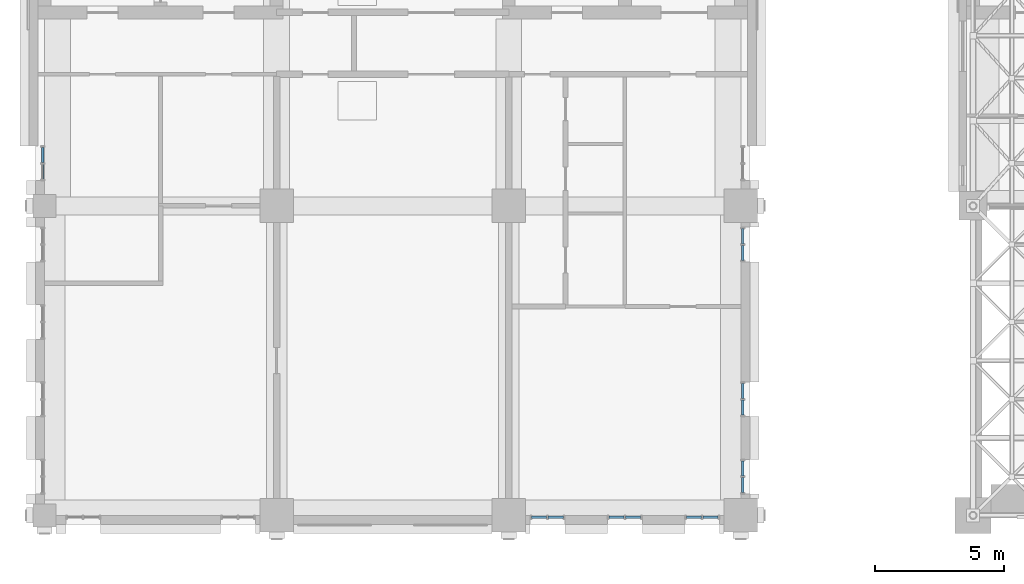
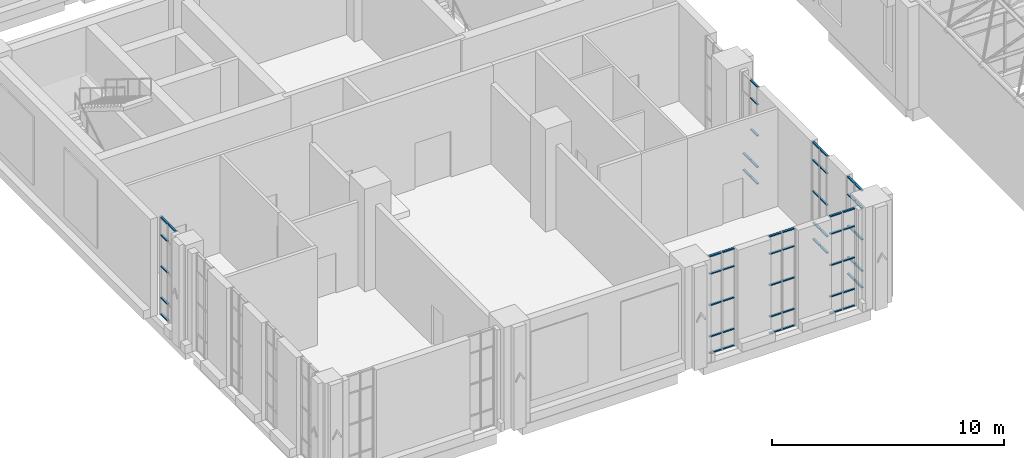
# One storey, part 16 of 53: 63 members, 7 elements without a shape of their own.
"""IFC4 building model written with IfcOpenShell, lengths in metres."""

from ifc_helpers import new_model, si_unit, direction, frame, origin, origin_2d, place, context, subcontext, project, spatial, rectangle, extrude, material, layer, layer_set, material_profile, profile_set, type_object, element, aggregate, save


model = new_model("IFC4")

# Units and contexts
model_context = context("Model", 3, precision=1e-05, world=origin(), true_north=direction((0.0, 1.0)))
body_context = subcontext(model_context, "Body", "Model", "MODEL_VIEW")
ifc_project = project(units=[si_unit("LENGTHUNIT", "METRE"), si_unit("AREAUNIT", "SQUARE_METRE"), si_unit("VOLUMEUNIT", "CUBIC_METRE"), si_unit("PLANEANGLEUNIT", "RADIAN"), si_unit("MASSUNIT", "GRAM", prefix="KILO")], contexts=[model_context])

# Site, building, storey
site_placement = place(None, origin())
site = spatial("IfcSite", under=ifc_project, at=site_placement, CompositionType="ELEMENT")
building_placement = place(site_placement, origin())
building = spatial("IfcBuilding", under=site, at=building_placement, Name="Aurelan Courthouse", CompositionType="ELEMENT")
storey_placement = place(building_placement, frame((0.0, 0.0, 12.0)))
storey = spatial("IfcBuildingStorey", under=building, at=storey_placement, Name="L02", CompositionType="ELEMENT", Elevation=12.0)

# Curtain wall, members
ifc_material_1 = material(Name="Bronze-finished aluminium and glass", Category="aluminium")
ifc_layer = layer(ifc_material_1, 0.14990234375)
ifc_layer_set = layer_set([ifc_layer], Name="Bronze-finished aluminium and glass")
curtain_wall_type = type_object("IfcCurtainWallType", Name="Curtain wall 1350 x 5150", PredefinedType="NOTDEFINED", material=ifc_layer_set)
curtain_wall_1_placement = place(storey_placement, origin())
curtain_wall_1 = element("IfcCurtainWall", 1, at=curtain_wall_1_placement, inside=storey, type_object=curtain_wall_type, Name="Curtain wall CW-V5-L02-S03", PredefinedType="NOTDEFINED")
ifc_material_2 = material(Name="Bronze-finished aluminium", Category="aluminium")
ifc_material_profile = material_profile(ifc_material_2, rectangle(XDim=0.10009765625, YDim=0.06005859375, at=origin_2d()), Name="Bronze transom 60 x 100")
ifc_profile_set = profile_set([ifc_material_profile], Name="Bronze-finished aluminium")
member_type = type_object("IfcMemberType", Name="Curtain wall transom 60 x 100", PredefinedType="USERDEFINED", material=ifc_profile_set)
member_1_placement = place(storey_placement, frame((18.885009765625, -0.074951171875, 0.030029296875), z_axis=(1.0, 0.0, 0.0), x_axis=(0.0, 1.0, 0.0)))
member_1 = element("IfcMember", 2, at=member_1_placement, type_object=member_type, Name="CW-V5-L02-S03 transom 1.1", ObjectType="TRANSOM", PredefinedType="USERDEFINED", context=body_context, shape_type="SweptSolid", body=[
    extrude(rectangle(XDim=0.10009765625, YDim=0.06005859375, at=origin_2d()), origin(), (0.0, 0.0, 1.0), 0.5849609375),
])
member_2_placement = place(storey_placement, frame((18.885009765625, -0.074951171875, 0.89990234375), z_axis=(1.0, 0.0, 0.0), x_axis=(0.0, 1.0, 0.0)))
member_2 = element("IfcMember", 3, at=member_2_placement, type_object=member_type, Name="CW-V5-L02-S03 transom 1.2", ObjectType="TRANSOM", PredefinedType="USERDEFINED", context=body_context, shape_type="SweptSolid", body=[
    extrude(rectangle(XDim=0.10009765625, YDim=0.06005859375, at=origin_2d()), origin(), (0.0, 0.0, 1.0), 0.5849609375),
])
member_3_placement = place(storey_placement, frame((18.885009765625, -0.074951171875, 2.550048828125), z_axis=(1.0, 0.0, 0.0), x_axis=(0.0, 1.0, 0.0)))
member_3 = element("IfcMember", 4, at=member_3_placement, type_object=member_type, Name="CW-V5-L02-S03 transom 1.3", ObjectType="TRANSOM", PredefinedType="USERDEFINED", context=body_context, shape_type="SweptSolid", body=[
    extrude(rectangle(XDim=0.10009765625, YDim=0.06005859375, at=origin_2d()), origin(), (0.0, 0.0, 1.0), 0.5849609375),
])
member_4_placement = place(storey_placement, frame((18.885009765625, -0.074951171875, 4.199951171875), z_axis=(1.0, 0.0, 0.0), x_axis=(0.0, 1.0, 0.0)))
member_4 = element("IfcMember", 5, at=member_4_placement, type_object=member_type, Name="CW-V5-L02-S03 transom 1.4", ObjectType="TRANSOM", PredefinedType="USERDEFINED", context=body_context, shape_type="SweptSolid", body=[
    extrude(rectangle(XDim=0.10009765625, YDim=0.06005859375, at=origin_2d()), origin(), (0.0, 0.0, 1.0), 0.5849609375),
])
member_5_placement = place(storey_placement, frame((18.885009765625, -0.074951171875, 5.1201171875), z_axis=(1.0, 0.0, 0.0), x_axis=(0.0, 1.0, 0.0)))
member_5 = element("IfcMember", 6, at=member_5_placement, type_object=member_type, Name="CW-V5-L02-S03 transom 1.5", ObjectType="TRANSOM", PredefinedType="USERDEFINED", context=body_context, shape_type="SweptSolid", body=[
    extrude(rectangle(XDim=0.10009765625, YDim=0.06005859375, at=origin_2d()), origin(), (0.0, 0.0, 1.0), 0.5849609375),
])
member_6_placement = place(storey_placement, frame((19.530029296875, -0.074951171875, 0.030029296875), z_axis=(1.0, 0.0, 0.0), x_axis=(0.0, 1.0, 0.0)))
member_6 = element("IfcMember", 7, at=member_6_placement, type_object=member_type, Name="CW-V5-L02-S03 transom 2.1", ObjectType="TRANSOM", PredefinedType="USERDEFINED", context=body_context, shape_type="SweptSolid", body=[
    extrude(rectangle(XDim=0.10009765625, YDim=0.06005859375, at=origin_2d()), origin(), (0.0, 0.0, 1.0), 0.5849609375),
])
member_7_placement = place(storey_placement, frame((19.530029296875, -0.074951171875, 0.89990234375), z_axis=(1.0, 0.0, 0.0), x_axis=(0.0, 1.0, 0.0)))
member_7 = element("IfcMember", 8, at=member_7_placement, type_object=member_type, Name="CW-V5-L02-S03 transom 2.2", ObjectType="TRANSOM", PredefinedType="USERDEFINED", context=body_context, shape_type="SweptSolid", body=[
    extrude(rectangle(XDim=0.10009765625, YDim=0.06005859375, at=origin_2d()), origin(), (0.0, 0.0, 1.0), 0.5849609375),
])
member_8_placement = place(storey_placement, frame((19.530029296875, -0.074951171875, 2.550048828125), z_axis=(1.0, 0.0, 0.0), x_axis=(0.0, 1.0, 0.0)))
member_8 = element("IfcMember", 9, at=member_8_placement, type_object=member_type, Name="CW-V5-L02-S03 transom 2.3", ObjectType="TRANSOM", PredefinedType="USERDEFINED", context=body_context, shape_type="SweptSolid", body=[
    extrude(rectangle(XDim=0.10009765625, YDim=0.06005859375, at=origin_2d()), origin(), (0.0, 0.0, 1.0), 0.5849609375),
])
member_9_placement = place(storey_placement, frame((19.530029296875, -0.074951171875, 4.199951171875), z_axis=(1.0, 0.0, 0.0), x_axis=(0.0, 1.0, 0.0)))
member_9 = element("IfcMember", 10, at=member_9_placement, type_object=member_type, Name="CW-V5-L02-S03 transom 2.4", ObjectType="TRANSOM", PredefinedType="USERDEFINED", context=body_context, shape_type="SweptSolid", body=[
    extrude(rectangle(XDim=0.10009765625, YDim=0.06005859375, at=origin_2d()), origin(), (0.0, 0.0, 1.0), 0.5849609375),
])
member_10_placement = place(storey_placement, frame((19.530029296875, -0.074951171875, 5.1201171875), z_axis=(1.0, 0.0, 0.0), x_axis=(0.0, 1.0, 0.0)))
member_10 = element("IfcMember", 11, at=member_10_placement, type_object=member_type, Name="CW-V5-L02-S03 transom 2.5", ObjectType="TRANSOM", PredefinedType="USERDEFINED", context=body_context, shape_type="SweptSolid", body=[
    extrude(rectangle(XDim=0.10009765625, YDim=0.06005859375, at=origin_2d()), origin(), (0.0, 0.0, 1.0), 0.5849609375),
])
aggregate(curtain_wall_1, [member_1, member_2, member_3, member_4, member_5, member_6, member_7, member_8, member_9, member_10])

curtain_wall_2_placement = place(storey_placement, origin())
curtain_wall_2 = element("IfcCurtainWall", 12, at=curtain_wall_2_placement, inside=storey, type_object=curtain_wall_type, Name="Curtain wall CW-V5-L02-S04", PredefinedType="NOTDEFINED")
member_11_placement = place(storey_placement, frame((21.885009765625, -0.074951171875, 0.030029296875), z_axis=(1.0, 0.0, 0.0), x_axis=(0.0, 1.0, 0.0)))
member_11 = element("IfcMember", 13, at=member_11_placement, type_object=member_type, Name="CW-V5-L02-S04 transom 1.1", ObjectType="TRANSOM", PredefinedType="USERDEFINED", context=body_context, shape_type="SweptSolid", body=[
    extrude(rectangle(XDim=0.10009765625, YDim=0.06005859375, at=origin_2d()), origin(), (0.0, 0.0, 1.0), 0.5849609375),
])
member_12_placement = place(storey_placement, frame((21.885009765625, -0.074951171875, 0.89990234375), z_axis=(1.0, 0.0, 0.0), x_axis=(0.0, 1.0, 0.0)))
member_12 = element("IfcMember", 14, at=member_12_placement, type_object=member_type, Name="CW-V5-L02-S04 transom 1.2", ObjectType="TRANSOM", PredefinedType="USERDEFINED", context=body_context, shape_type="SweptSolid", body=[
    extrude(rectangle(XDim=0.10009765625, YDim=0.06005859375, at=origin_2d()), origin(), (0.0, 0.0, 1.0), 0.5849609375),
])
member_13_placement = place(storey_placement, frame((21.885009765625, -0.074951171875, 2.550048828125), z_axis=(1.0, 0.0, 0.0), x_axis=(0.0, 1.0, 0.0)))
member_13 = element("IfcMember", 15, at=member_13_placement, type_object=member_type, Name="CW-V5-L02-S04 transom 1.3", ObjectType="TRANSOM", PredefinedType="USERDEFINED", context=body_context, shape_type="SweptSolid", body=[
    extrude(rectangle(XDim=0.10009765625, YDim=0.06005859375, at=origin_2d()), origin(), (0.0, 0.0, 1.0), 0.5849609375),
])
member_14_placement = place(storey_placement, frame((21.885009765625, -0.074951171875, 4.199951171875), z_axis=(1.0, 0.0, 0.0), x_axis=(0.0, 1.0, 0.0)))
member_14 = element("IfcMember", 16, at=member_14_placement, type_object=member_type, Name="CW-V5-L02-S04 transom 1.4", ObjectType="TRANSOM", PredefinedType="USERDEFINED", context=body_context, shape_type="SweptSolid", body=[
    extrude(rectangle(XDim=0.10009765625, YDim=0.06005859375, at=origin_2d()), origin(), (0.0, 0.0, 1.0), 0.5849609375),
])
member_15_placement = place(storey_placement, frame((21.885009765625, -0.074951171875, 5.1201171875), z_axis=(1.0, 0.0, 0.0), x_axis=(0.0, 1.0, 0.0)))
member_15 = element("IfcMember", 17, at=member_15_placement, type_object=member_type, Name="CW-V5-L02-S04 transom 1.5", ObjectType="TRANSOM", PredefinedType="USERDEFINED", context=body_context, shape_type="SweptSolid", body=[
    extrude(rectangle(XDim=0.10009765625, YDim=0.06005859375, at=origin_2d()), origin(), (0.0, 0.0, 1.0), 0.5849609375),
])
member_16_placement = place(storey_placement, frame((22.530029296875, -0.074951171875, 0.030029296875), z_axis=(1.0, 0.0, 0.0), x_axis=(0.0, 1.0, 0.0)))
member_16 = element("IfcMember", 18, at=member_16_placement, type_object=member_type, Name="CW-V5-L02-S04 transom 2.1", ObjectType="TRANSOM", PredefinedType="USERDEFINED", context=body_context, shape_type="SweptSolid", body=[
    extrude(rectangle(XDim=0.10009765625, YDim=0.06005859375, at=origin_2d()), origin(), (0.0, 0.0, 1.0), 0.5849609375),
])
member_17_placement = place(storey_placement, frame((22.530029296875, -0.074951171875, 0.89990234375), z_axis=(1.0, 0.0, 0.0), x_axis=(0.0, 1.0, 0.0)))
member_17 = element("IfcMember", 19, at=member_17_placement, type_object=member_type, Name="CW-V5-L02-S04 transom 2.2", ObjectType="TRANSOM", PredefinedType="USERDEFINED", context=body_context, shape_type="SweptSolid", body=[
    extrude(rectangle(XDim=0.10009765625, YDim=0.06005859375, at=origin_2d()), origin(), (0.0, 0.0, 1.0), 0.5849609375),
])
member_18_placement = place(storey_placement, frame((22.530029296875, -0.074951171875, 2.550048828125), z_axis=(1.0, 0.0, 0.0), x_axis=(0.0, 1.0, 0.0)))
member_18 = element("IfcMember", 20, at=member_18_placement, type_object=member_type, Name="CW-V5-L02-S04 transom 2.3", ObjectType="TRANSOM", PredefinedType="USERDEFINED", context=body_context, shape_type="SweptSolid", body=[
    extrude(rectangle(XDim=0.10009765625, YDim=0.06005859375, at=origin_2d()), origin(), (0.0, 0.0, 1.0), 0.5849609375),
])
member_19_placement = place(storey_placement, frame((22.530029296875, -0.074951171875, 4.199951171875), z_axis=(1.0, 0.0, 0.0), x_axis=(0.0, 1.0, 0.0)))
member_19 = element("IfcMember", 21, at=member_19_placement, type_object=member_type, Name="CW-V5-L02-S04 transom 2.4", ObjectType="TRANSOM", PredefinedType="USERDEFINED", context=body_context, shape_type="SweptSolid", body=[
    extrude(rectangle(XDim=0.10009765625, YDim=0.06005859375, at=origin_2d()), origin(), (0.0, 0.0, 1.0), 0.5849609375),
])
member_20_placement = place(storey_placement, frame((22.530029296875, -0.074951171875, 5.1201171875), z_axis=(1.0, 0.0, 0.0), x_axis=(0.0, 1.0, 0.0)))
member_20 = element("IfcMember", 22, at=member_20_placement, type_object=member_type, Name="CW-V5-L02-S04 transom 2.5", ObjectType="TRANSOM", PredefinedType="USERDEFINED", context=body_context, shape_type="SweptSolid", body=[
    extrude(rectangle(XDim=0.10009765625, YDim=0.06005859375, at=origin_2d()), origin(), (0.0, 0.0, 1.0), 0.5849609375),
])
aggregate(curtain_wall_2, [member_11, member_12, member_13, member_14, member_15, member_16, member_17, member_18, member_19, member_20])

curtain_wall_3_placement = place(storey_placement, origin())
curtain_wall_3 = element("IfcCurtainWall", 23, at=curtain_wall_3_placement, inside=storey, type_object=curtain_wall_type, Name="Curtain wall CW-V5-L02-S05", PredefinedType="NOTDEFINED")
member_21_placement = place(storey_placement, frame((24.885009765625, -0.074951171875, 0.030029296875), z_axis=(1.0, 0.0, 0.0), x_axis=(0.0, 1.0, 0.0)))
member_21 = element("IfcMember", 24, at=member_21_placement, type_object=member_type, Name="CW-V5-L02-S05 transom 1.1", ObjectType="TRANSOM", PredefinedType="USERDEFINED", context=body_context, shape_type="SweptSolid", body=[
    extrude(rectangle(XDim=0.10009765625, YDim=0.06005859375, at=origin_2d()), origin(), (0.0, 0.0, 1.0), 0.5849609375),
])
member_22_placement = place(storey_placement, frame((24.885009765625, -0.074951171875, 0.89990234375), z_axis=(1.0, 0.0, 0.0), x_axis=(0.0, 1.0, 0.0)))
member_22 = element("IfcMember", 25, at=member_22_placement, type_object=member_type, Name="CW-V5-L02-S05 transom 1.2", ObjectType="TRANSOM", PredefinedType="USERDEFINED", context=body_context, shape_type="SweptSolid", body=[
    extrude(rectangle(XDim=0.10009765625, YDim=0.06005859375, at=origin_2d()), origin(), (0.0, 0.0, 1.0), 0.5849609375),
])
member_23_placement = place(storey_placement, frame((24.885009765625, -0.074951171875, 2.550048828125), z_axis=(1.0, 0.0, 0.0), x_axis=(0.0, 1.0, 0.0)))
member_23 = element("IfcMember", 26, at=member_23_placement, type_object=member_type, Name="CW-V5-L02-S05 transom 1.3", ObjectType="TRANSOM", PredefinedType="USERDEFINED", context=body_context, shape_type="SweptSolid", body=[
    extrude(rectangle(XDim=0.10009765625, YDim=0.06005859375, at=origin_2d()), origin(), (0.0, 0.0, 1.0), 0.5849609375),
])
member_24_placement = place(storey_placement, frame((24.885009765625, -0.074951171875, 4.199951171875), z_axis=(1.0, 0.0, 0.0), x_axis=(0.0, 1.0, 0.0)))
member_24 = element("IfcMember", 27, at=member_24_placement, type_object=member_type, Name="CW-V5-L02-S05 transom 1.4", ObjectType="TRANSOM", PredefinedType="USERDEFINED", context=body_context, shape_type="SweptSolid", body=[
    extrude(rectangle(XDim=0.10009765625, YDim=0.06005859375, at=origin_2d()), origin(), (0.0, 0.0, 1.0), 0.5849609375),
])
member_25_placement = place(storey_placement, frame((24.885009765625, -0.074951171875, 5.1201171875), z_axis=(1.0, 0.0, 0.0), x_axis=(0.0, 1.0, 0.0)))
member_25 = element("IfcMember", 28, at=member_25_placement, type_object=member_type, Name="CW-V5-L02-S05 transom 1.5", ObjectType="TRANSOM", PredefinedType="USERDEFINED", context=body_context, shape_type="SweptSolid", body=[
    extrude(rectangle(XDim=0.10009765625, YDim=0.06005859375, at=origin_2d()), origin(), (0.0, 0.0, 1.0), 0.5849609375),
])
member_26_placement = place(storey_placement, frame((25.530029296875, -0.074951171875, 0.030029296875), z_axis=(1.0, 0.0, 0.0), x_axis=(0.0, 1.0, 0.0)))
member_26 = element("IfcMember", 29, at=member_26_placement, type_object=member_type, Name="CW-V5-L02-S05 transom 2.1", ObjectType="TRANSOM", PredefinedType="USERDEFINED", context=body_context, shape_type="SweptSolid", body=[
    extrude(rectangle(XDim=0.10009765625, YDim=0.06005859375, at=origin_2d()), origin(), (0.0, 0.0, 1.0), 0.5849609375),
])
member_27_placement = place(storey_placement, frame((25.530029296875, -0.074951171875, 0.89990234375), z_axis=(1.0, 0.0, 0.0), x_axis=(0.0, 1.0, 0.0)))
member_27 = element("IfcMember", 30, at=member_27_placement, type_object=member_type, Name="CW-V5-L02-S05 transom 2.2", ObjectType="TRANSOM", PredefinedType="USERDEFINED", context=body_context, shape_type="SweptSolid", body=[
    extrude(rectangle(XDim=0.10009765625, YDim=0.06005859375, at=origin_2d()), origin(), (0.0, 0.0, 1.0), 0.5849609375),
])
member_28_placement = place(storey_placement, frame((25.530029296875, -0.074951171875, 2.550048828125), z_axis=(1.0, 0.0, 0.0), x_axis=(0.0, 1.0, 0.0)))
member_28 = element("IfcMember", 31, at=member_28_placement, type_object=member_type, Name="CW-V5-L02-S05 transom 2.3", ObjectType="TRANSOM", PredefinedType="USERDEFINED", context=body_context, shape_type="SweptSolid", body=[
    extrude(rectangle(XDim=0.10009765625, YDim=0.06005859375, at=origin_2d()), origin(), (0.0, 0.0, 1.0), 0.5849609375),
])
member_29_placement = place(storey_placement, frame((25.530029296875, -0.074951171875, 4.199951171875), z_axis=(1.0, 0.0, 0.0), x_axis=(0.0, 1.0, 0.0)))
member_29 = element("IfcMember", 32, at=member_29_placement, type_object=member_type, Name="CW-V5-L02-S05 transom 2.4", ObjectType="TRANSOM", PredefinedType="USERDEFINED", context=body_context, shape_type="SweptSolid", body=[
    extrude(rectangle(XDim=0.10009765625, YDim=0.06005859375, at=origin_2d()), origin(), (0.0, 0.0, 1.0), 0.5849609375),
])
member_30_placement = place(storey_placement, frame((25.530029296875, -0.074951171875, 5.1201171875), z_axis=(1.0, 0.0, 0.0), x_axis=(0.0, 1.0, 0.0)))
member_30 = element("IfcMember", 33, at=member_30_placement, type_object=member_type, Name="CW-V5-L02-S05 transom 2.5", ObjectType="TRANSOM", PredefinedType="USERDEFINED", context=body_context, shape_type="SweptSolid", body=[
    extrude(rectangle(XDim=0.10009765625, YDim=0.06005859375, at=origin_2d()), origin(), (0.0, 0.0, 1.0), 0.5849609375),
])
aggregate(curtain_wall_3, [member_21, member_22, member_23, member_24, member_25, member_26, member_27, member_28, member_29, member_30])

curtain_wall_4_placement = place(storey_placement, origin())
curtain_wall_4 = element("IfcCurtainWall", 34, at=curtain_wall_4_placement, inside=storey, type_object=curtain_wall_type, Name="Curtain wall CW-V5-L02-E01", PredefinedType="NOTDEFINED")
member_31_placement = place(storey_placement, frame((27.074951171875, 0.885009765625, 0.030029296875), z_axis=(0.0, 1.0, 0.0), x_axis=(-1.0, 0.0, 0.0)))
member_31 = element("IfcMember", 35, at=member_31_placement, type_object=member_type, Name="CW-V5-L02-E01 transom 1.1", ObjectType="TRANSOM", PredefinedType="USERDEFINED", context=body_context, shape_type="SweptSolid", body=[
    extrude(rectangle(XDim=0.10009765625, YDim=0.06005859375, at=origin_2d()), origin(), (0.0, 0.0, 1.0), 0.5849609375),
])
member_32_placement = place(storey_placement, frame((27.074951171875, 0.885009765625, 0.89990234375), z_axis=(0.0, 1.0, 0.0), x_axis=(-1.0, 0.0, 0.0)))
member_32 = element("IfcMember", 36, at=member_32_placement, type_object=member_type, Name="CW-V5-L02-E01 transom 1.2", ObjectType="TRANSOM", PredefinedType="USERDEFINED", context=body_context, shape_type="SweptSolid", body=[
    extrude(rectangle(XDim=0.10009765625, YDim=0.06005859375, at=origin_2d()), origin(), (0.0, 0.0, 1.0), 0.5849609375),
])
member_33_placement = place(storey_placement, frame((27.074951171875, 0.885009765625, 2.550048828125), z_axis=(0.0, 1.0, 0.0), x_axis=(-1.0, 0.0, 0.0)))
member_33 = element("IfcMember", 37, at=member_33_placement, type_object=member_type, Name="CW-V5-L02-E01 transom 1.3", ObjectType="TRANSOM", PredefinedType="USERDEFINED", context=body_context, shape_type="SweptSolid", body=[
    extrude(rectangle(XDim=0.10009765625, YDim=0.06005859375, at=origin_2d()), origin(), (0.0, 0.0, 1.0), 0.5849609375),
])
member_34_placement = place(storey_placement, frame((27.074951171875, 0.885009765625, 4.199951171875), z_axis=(0.0, 1.0, 0.0), x_axis=(-1.0, 0.0, 0.0)))
member_34 = element("IfcMember", 38, at=member_34_placement, type_object=member_type, Name="CW-V5-L02-E01 transom 1.4", ObjectType="TRANSOM", PredefinedType="USERDEFINED", context=body_context, shape_type="SweptSolid", body=[
    extrude(rectangle(XDim=0.10009765625, YDim=0.06005859375, at=origin_2d()), origin(), (0.0, 0.0, 1.0), 0.5849609375),
])
member_35_placement = place(storey_placement, frame((27.074951171875, 0.885009765625, 5.1201171875), z_axis=(0.0, 1.0, 0.0), x_axis=(-1.0, 0.0, 0.0)))
member_35 = element("IfcMember", 39, at=member_35_placement, type_object=member_type, Name="CW-V5-L02-E01 transom 1.5", ObjectType="TRANSOM", PredefinedType="USERDEFINED", context=body_context, shape_type="SweptSolid", body=[
    extrude(rectangle(XDim=0.10009765625, YDim=0.06005859375, at=origin_2d()), origin(), (0.0, 0.0, 1.0), 0.5849609375),
])
member_36_placement = place(storey_placement, frame((27.074951171875, 1.530029296875, 0.030029296875), z_axis=(0.0, 1.0, 0.0), x_axis=(-1.0, 0.0, 0.0)))
member_36 = element("IfcMember", 40, at=member_36_placement, type_object=member_type, Name="CW-V5-L02-E01 transom 2.1", ObjectType="TRANSOM", PredefinedType="USERDEFINED", context=body_context, shape_type="SweptSolid", body=[
    extrude(rectangle(XDim=0.10009765625, YDim=0.06005859375, at=origin_2d()), origin(), (0.0, 0.0, 1.0), 0.5849609375),
])
member_37_placement = place(storey_placement, frame((27.074951171875, 1.530029296875, 0.89990234375), z_axis=(0.0, 1.0, 0.0), x_axis=(-1.0, 0.0, 0.0)))
member_37 = element("IfcMember", 41, at=member_37_placement, type_object=member_type, Name="CW-V5-L02-E01 transom 2.2", ObjectType="TRANSOM", PredefinedType="USERDEFINED", context=body_context, shape_type="SweptSolid", body=[
    extrude(rectangle(XDim=0.10009765625, YDim=0.06005859375, at=origin_2d()), origin(), (0.0, 0.0, 1.0), 0.5849609375),
])
member_38_placement = place(storey_placement, frame((27.074951171875, 1.530029296875, 2.550048828125), z_axis=(0.0, 1.0, 0.0), x_axis=(-1.0, 0.0, 0.0)))
member_38 = element("IfcMember", 42, at=member_38_placement, type_object=member_type, Name="CW-V5-L02-E01 transom 2.3", ObjectType="TRANSOM", PredefinedType="USERDEFINED", context=body_context, shape_type="SweptSolid", body=[
    extrude(rectangle(XDim=0.10009765625, YDim=0.06005859375, at=origin_2d()), origin(), (0.0, 0.0, 1.0), 0.5849609375),
])
member_39_placement = place(storey_placement, frame((27.074951171875, 1.530029296875, 4.199951171875), z_axis=(0.0, 1.0, 0.0), x_axis=(-1.0, 0.0, 0.0)))
member_39 = element("IfcMember", 43, at=member_39_placement, type_object=member_type, Name="CW-V5-L02-E01 transom 2.4", ObjectType="TRANSOM", PredefinedType="USERDEFINED", context=body_context, shape_type="SweptSolid", body=[
    extrude(rectangle(XDim=0.10009765625, YDim=0.06005859375, at=origin_2d()), origin(), (0.0, 0.0, 1.0), 0.5849609375),
])
member_40_placement = place(storey_placement, frame((27.074951171875, 1.530029296875, 5.1201171875), z_axis=(0.0, 1.0, 0.0), x_axis=(-1.0, 0.0, 0.0)))
member_40 = element("IfcMember", 44, at=member_40_placement, type_object=member_type, Name="CW-V5-L02-E01 transom 2.5", ObjectType="TRANSOM", PredefinedType="USERDEFINED", context=body_context, shape_type="SweptSolid", body=[
    extrude(rectangle(XDim=0.10009765625, YDim=0.06005859375, at=origin_2d()), origin(), (0.0, 0.0, 1.0), 0.5849609375),
])
aggregate(curtain_wall_4, [member_31, member_32, member_33, member_34, member_35, member_36, member_37, member_38, member_39, member_40])

curtain_wall_5_placement = place(storey_placement, origin())
curtain_wall_5 = element("IfcCurtainWall", 45, at=curtain_wall_5_placement, inside=storey, type_object=curtain_wall_type, Name="Curtain wall CW-V5-L02-E02", PredefinedType="NOTDEFINED")
member_41_placement = place(storey_placement, frame((27.074951171875, 3.885009765625, 0.030029296875), z_axis=(0.0, 1.0, 0.0), x_axis=(-1.0, 0.0, 0.0)))
member_41 = element("IfcMember", 46, at=member_41_placement, type_object=member_type, Name="CW-V5-L02-E02 transom 1.1", ObjectType="TRANSOM", PredefinedType="USERDEFINED", context=body_context, shape_type="SweptSolid", body=[
    extrude(rectangle(XDim=0.10009765625, YDim=0.06005859375, at=origin_2d()), origin(), (0.0, 0.0, 1.0), 0.5849609375),
])
member_42_placement = place(storey_placement, frame((27.074951171875, 3.885009765625, 0.89990234375), z_axis=(0.0, 1.0, 0.0), x_axis=(-1.0, 0.0, 0.0)))
member_42 = element("IfcMember", 47, at=member_42_placement, type_object=member_type, Name="CW-V5-L02-E02 transom 1.2", ObjectType="TRANSOM", PredefinedType="USERDEFINED", context=body_context, shape_type="SweptSolid", body=[
    extrude(rectangle(XDim=0.10009765625, YDim=0.06005859375, at=origin_2d()), origin(), (0.0, 0.0, 1.0), 0.5849609375),
])
member_43_placement = place(storey_placement, frame((27.074951171875, 3.885009765625, 2.550048828125), z_axis=(0.0, 1.0, 0.0), x_axis=(-1.0, 0.0, 0.0)))
member_43 = element("IfcMember", 48, at=member_43_placement, type_object=member_type, Name="CW-V5-L02-E02 transom 1.3", ObjectType="TRANSOM", PredefinedType="USERDEFINED", context=body_context, shape_type="SweptSolid", body=[
    extrude(rectangle(XDim=0.10009765625, YDim=0.06005859375, at=origin_2d()), origin(), (0.0, 0.0, 1.0), 0.5849609375),
])
member_44_placement = place(storey_placement, frame((27.074951171875, 3.885009765625, 4.199951171875), z_axis=(0.0, 1.0, 0.0), x_axis=(-1.0, 0.0, 0.0)))
member_44 = element("IfcMember", 49, at=member_44_placement, type_object=member_type, Name="CW-V5-L02-E02 transom 1.4", ObjectType="TRANSOM", PredefinedType="USERDEFINED", context=body_context, shape_type="SweptSolid", body=[
    extrude(rectangle(XDim=0.10009765625, YDim=0.06005859375, at=origin_2d()), origin(), (0.0, 0.0, 1.0), 0.5849609375),
])
member_45_placement = place(storey_placement, frame((27.074951171875, 3.885009765625, 5.1201171875), z_axis=(0.0, 1.0, 0.0), x_axis=(-1.0, 0.0, 0.0)))
member_45 = element("IfcMember", 50, at=member_45_placement, type_object=member_type, Name="CW-V5-L02-E02 transom 1.5", ObjectType="TRANSOM", PredefinedType="USERDEFINED", context=body_context, shape_type="SweptSolid", body=[
    extrude(rectangle(XDim=0.10009765625, YDim=0.06005859375, at=origin_2d()), origin(), (0.0, 0.0, 1.0), 0.5849609375),
])
member_46_placement = place(storey_placement, frame((27.074951171875, 4.530029296875, 0.030029296875), z_axis=(0.0, 1.0, 0.0), x_axis=(-1.0, 0.0, 0.0)))
member_46 = element("IfcMember", 51, at=member_46_placement, type_object=member_type, Name="CW-V5-L02-E02 transom 2.1", ObjectType="TRANSOM", PredefinedType="USERDEFINED", context=body_context, shape_type="SweptSolid", body=[
    extrude(rectangle(XDim=0.10009765625, YDim=0.06005859375, at=origin_2d()), origin(), (0.0, 0.0, 1.0), 0.5849609375),
])
member_47_placement = place(storey_placement, frame((27.074951171875, 4.530029296875, 0.89990234375), z_axis=(0.0, 1.0, 0.0), x_axis=(-1.0, 0.0, 0.0)))
member_47 = element("IfcMember", 52, at=member_47_placement, type_object=member_type, Name="CW-V5-L02-E02 transom 2.2", ObjectType="TRANSOM", PredefinedType="USERDEFINED", context=body_context, shape_type="SweptSolid", body=[
    extrude(rectangle(XDim=0.10009765625, YDim=0.06005859375, at=origin_2d()), origin(), (0.0, 0.0, 1.0), 0.5849609375),
])
member_48_placement = place(storey_placement, frame((27.074951171875, 4.530029296875, 2.550048828125), z_axis=(0.0, 1.0, 0.0), x_axis=(-1.0, 0.0, 0.0)))
member_48 = element("IfcMember", 53, at=member_48_placement, type_object=member_type, Name="CW-V5-L02-E02 transom 2.3", ObjectType="TRANSOM", PredefinedType="USERDEFINED", context=body_context, shape_type="SweptSolid", body=[
    extrude(rectangle(XDim=0.10009765625, YDim=0.06005859375, at=origin_2d()), origin(), (0.0, 0.0, 1.0), 0.5849609375),
])
member_49_placement = place(storey_placement, frame((27.074951171875, 4.530029296875, 4.199951171875), z_axis=(0.0, 1.0, 0.0), x_axis=(-1.0, 0.0, 0.0)))
member_49 = element("IfcMember", 54, at=member_49_placement, type_object=member_type, Name="CW-V5-L02-E02 transom 2.4", ObjectType="TRANSOM", PredefinedType="USERDEFINED", context=body_context, shape_type="SweptSolid", body=[
    extrude(rectangle(XDim=0.10009765625, YDim=0.06005859375, at=origin_2d()), origin(), (0.0, 0.0, 1.0), 0.5849609375),
])
member_50_placement = place(storey_placement, frame((27.074951171875, 4.530029296875, 5.1201171875), z_axis=(0.0, 1.0, 0.0), x_axis=(-1.0, 0.0, 0.0)))
member_50 = element("IfcMember", 55, at=member_50_placement, type_object=member_type, Name="CW-V5-L02-E02 transom 2.5", ObjectType="TRANSOM", PredefinedType="USERDEFINED", context=body_context, shape_type="SweptSolid", body=[
    extrude(rectangle(XDim=0.10009765625, YDim=0.06005859375, at=origin_2d()), origin(), (0.0, 0.0, 1.0), 0.5849609375),
])
aggregate(curtain_wall_5, [member_41, member_42, member_43, member_44, member_45, member_46, member_47, member_48, member_49, member_50])

curtain_wall_6_placement = place(storey_placement, origin())
curtain_wall_6 = element("IfcCurtainWall", 56, at=curtain_wall_6_placement, inside=storey, type_object=curtain_wall_type, Name="Curtain wall CW-V5-L02-E03", PredefinedType="NOTDEFINED")
member_51_placement = place(storey_placement, frame((27.074951171875, 9.885009765625, 0.030029296875), z_axis=(0.0, 1.0, 0.0), x_axis=(-1.0, 0.0, 0.0)))
member_51 = element("IfcMember", 57, at=member_51_placement, type_object=member_type, Name="CW-V5-L02-E03 transom 1.1", ObjectType="TRANSOM", PredefinedType="USERDEFINED", context=body_context, shape_type="SweptSolid", body=[
    extrude(rectangle(XDim=0.10009765625, YDim=0.06005859375, at=origin_2d()), origin(), (0.0, 0.0, 1.0), 0.5849609375),
])
member_52_placement = place(storey_placement, frame((27.074951171875, 9.885009765625, 0.89990234375), z_axis=(0.0, 1.0, 0.0), x_axis=(-1.0, 0.0, 0.0)))
member_52 = element("IfcMember", 58, at=member_52_placement, type_object=member_type, Name="CW-V5-L02-E03 transom 1.2", ObjectType="TRANSOM", PredefinedType="USERDEFINED", context=body_context, shape_type="SweptSolid", body=[
    extrude(rectangle(XDim=0.10009765625, YDim=0.06005859375, at=origin_2d()), origin(), (0.0, 0.0, 1.0), 0.5849609375),
])
member_53_placement = place(storey_placement, frame((27.074951171875, 9.885009765625, 2.550048828125), z_axis=(0.0, 1.0, 0.0), x_axis=(-1.0, 0.0, 0.0)))
member_53 = element("IfcMember", 59, at=member_53_placement, type_object=member_type, Name="CW-V5-L02-E03 transom 1.3", ObjectType="TRANSOM", PredefinedType="USERDEFINED", context=body_context, shape_type="SweptSolid", body=[
    extrude(rectangle(XDim=0.10009765625, YDim=0.06005859375, at=origin_2d()), origin(), (0.0, 0.0, 1.0), 0.5849609375),
])
member_54_placement = place(storey_placement, frame((27.074951171875, 9.885009765625, 4.199951171875), z_axis=(0.0, 1.0, 0.0), x_axis=(-1.0, 0.0, 0.0)))
member_54 = element("IfcMember", 60, at=member_54_placement, type_object=member_type, Name="CW-V5-L02-E03 transom 1.4", ObjectType="TRANSOM", PredefinedType="USERDEFINED", context=body_context, shape_type="SweptSolid", body=[
    extrude(rectangle(XDim=0.10009765625, YDim=0.06005859375, at=origin_2d()), origin(), (0.0, 0.0, 1.0), 0.5849609375),
])
member_55_placement = place(storey_placement, frame((27.074951171875, 9.885009765625, 5.1201171875), z_axis=(0.0, 1.0, 0.0), x_axis=(-1.0, 0.0, 0.0)))
member_55 = element("IfcMember", 61, at=member_55_placement, type_object=member_type, Name="CW-V5-L02-E03 transom 1.5", ObjectType="TRANSOM", PredefinedType="USERDEFINED", context=body_context, shape_type="SweptSolid", body=[
    extrude(rectangle(XDim=0.10009765625, YDim=0.06005859375, at=origin_2d()), origin(), (0.0, 0.0, 1.0), 0.5849609375),
])
member_56_placement = place(storey_placement, frame((27.074951171875, 10.530029296875, 0.030029296875), z_axis=(0.0, 1.0, 0.0), x_axis=(-1.0, 0.0, 0.0)))
member_56 = element("IfcMember", 62, at=member_56_placement, type_object=member_type, Name="CW-V5-L02-E03 transom 2.1", ObjectType="TRANSOM", PredefinedType="USERDEFINED", context=body_context, shape_type="SweptSolid", body=[
    extrude(rectangle(XDim=0.10009765625, YDim=0.06005859375, at=origin_2d()), origin(), (0.0, 0.0, 1.0), 0.5849609375),
])
member_57_placement = place(storey_placement, frame((27.074951171875, 10.530029296875, 0.89990234375), z_axis=(0.0, 1.0, 0.0), x_axis=(-1.0, 0.0, 0.0)))
member_57 = element("IfcMember", 63, at=member_57_placement, type_object=member_type, Name="CW-V5-L02-E03 transom 2.2", ObjectType="TRANSOM", PredefinedType="USERDEFINED", context=body_context, shape_type="SweptSolid", body=[
    extrude(rectangle(XDim=0.10009765625, YDim=0.06005859375, at=origin_2d()), origin(), (0.0, 0.0, 1.0), 0.5849609375),
])
aggregate(curtain_wall_6, [member_51, member_52, member_53, member_54, member_55, member_56, member_57])

curtain_wall_7_placement = place(storey_placement, origin())
curtain_wall_7 = element("IfcCurtainWall", 64, at=curtain_wall_7_placement, inside=storey, type_object=curtain_wall_type, Name="Curtain wall CW-V5-L02-W05", PredefinedType="NOTDEFINED")
member_58_placement = place(storey_placement, frame((-0.074951171875, 13.034912109375, 5.1201171875), z_axis=(0.0, 1.0, 0.0), x_axis=(-1.0, 0.0, 0.0)))
member_58 = element("IfcMember", 65, at=member_58_placement, type_object=member_type, Name="CW-V5-L02-W05 transom 1.5", ObjectType="TRANSOM", PredefinedType="USERDEFINED", context=body_context, shape_type="SweptSolid", body=[
    extrude(rectangle(XDim=0.10009765625, YDim=0.06005859375, at=origin_2d()), origin(), (0.0, 0.0, 1.0), 0.585205078125),
])
member_59_placement = place(storey_placement, frame((-0.074951171875, 13.679931640625, 0.030029296875), z_axis=(0.0, 1.0, 0.0), x_axis=(-1.0, 0.0, 0.0)))
member_59 = element("IfcMember", 66, at=member_59_placement, type_object=member_type, Name="CW-V5-L02-W05 transom 2.1", ObjectType="TRANSOM", PredefinedType="USERDEFINED", context=body_context, shape_type="SweptSolid", body=[
    extrude(rectangle(XDim=0.10009765625, YDim=0.06005859375, at=origin_2d()), origin(), (0.0, 0.0, 1.0), 0.5849609375),
])
member_60_placement = place(storey_placement, frame((-0.074951171875, 13.679931640625, 0.89990234375), z_axis=(0.0, 1.0, 0.0), x_axis=(-1.0, 0.0, 0.0)))
member_60 = element("IfcMember", 67, at=member_60_placement, type_object=member_type, Name="CW-V5-L02-W05 transom 2.2", ObjectType="TRANSOM", PredefinedType="USERDEFINED", context=body_context, shape_type="SweptSolid", body=[
    extrude(rectangle(XDim=0.10009765625, YDim=0.06005859375, at=origin_2d()), origin(), (0.0, 0.0, 1.0), 0.5849609375),
])
member_61_placement = place(storey_placement, frame((-0.074951171875, 13.679931640625, 2.550048828125), z_axis=(0.0, 1.0, 0.0), x_axis=(-1.0, 0.0, 0.0)))
member_61 = element("IfcMember", 68, at=member_61_placement, type_object=member_type, Name="CW-V5-L02-W05 transom 2.3", ObjectType="TRANSOM", PredefinedType="USERDEFINED", context=body_context, shape_type="SweptSolid", body=[
    extrude(rectangle(XDim=0.10009765625, YDim=0.06005859375, at=origin_2d()), origin(), (0.0, 0.0, 1.0), 0.5849609375),
])
member_62_placement = place(storey_placement, frame((-0.074951171875, 13.679931640625, 4.199951171875), z_axis=(0.0, 1.0, 0.0), x_axis=(-1.0, 0.0, 0.0)))
member_62 = element("IfcMember", 69, at=member_62_placement, type_object=member_type, Name="CW-V5-L02-W05 transom 2.4", ObjectType="TRANSOM", PredefinedType="USERDEFINED", context=body_context, shape_type="SweptSolid", body=[
    extrude(rectangle(XDim=0.10009765625, YDim=0.06005859375, at=origin_2d()), origin(), (0.0, 0.0, 1.0), 0.5849609375),
])
member_63_placement = place(storey_placement, frame((-0.074951171875, 13.679931640625, 5.1201171875), z_axis=(0.0, 1.0, 0.0), x_axis=(-1.0, 0.0, 0.0)))
member_63 = element("IfcMember", 70, at=member_63_placement, type_object=member_type, Name="CW-V5-L02-W05 transom 2.5", ObjectType="TRANSOM", PredefinedType="USERDEFINED", context=body_context, shape_type="SweptSolid", body=[
    extrude(rectangle(XDim=0.10009765625, YDim=0.06005859375, at=origin_2d()), origin(), (0.0, 0.0, 1.0), 0.5849609375),
])
aggregate(curtain_wall_7, [member_58, member_59, member_60, member_61, member_62, member_63])

save(model, "model.ifc")
